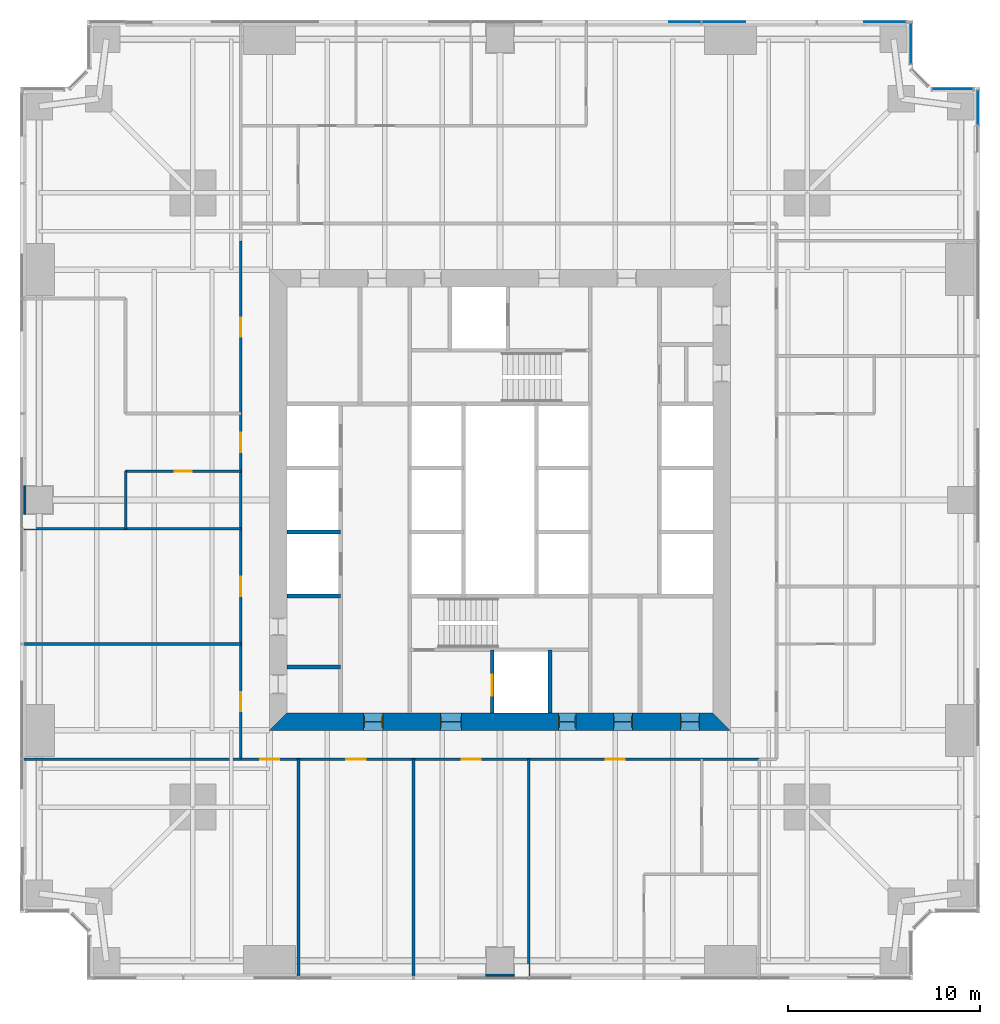
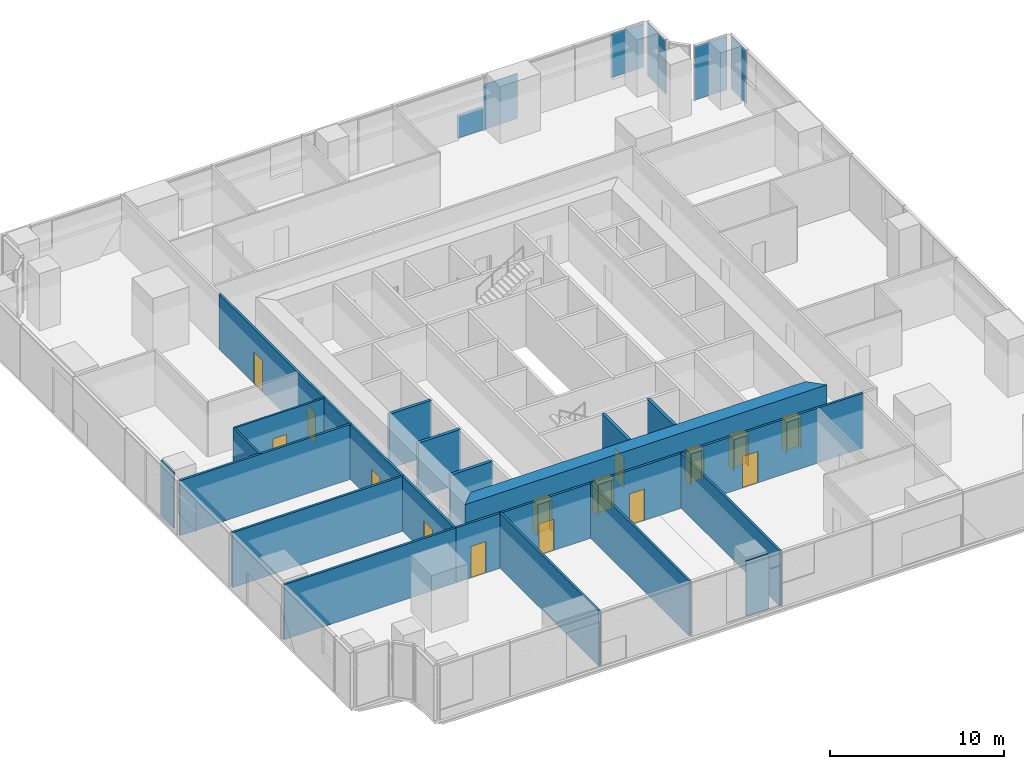
# One storey, part 9 of 14: 18 walls, 15 doors, 6 plates, 15 openings, 4 elements without a shape of their own.
"""IFC4 building model written with IfcOpenShell, lengths in metres."""

from ifc_helpers import new_model, si_unit, direction, frame, frame_2d, origin, origin_2d, place, context, subcontext, project, spatial, polyline, rectangle, outline, extrude, material, layer, layer_set, type_object, element, fill, aggregate, save


model = new_model("IFC4")

# Units and contexts
model_context = context("Model", 3, precision=1e-05, world=origin(), true_north=direction((0.0, 1.0)))
body_context = subcontext(model_context, "Body", "Model", "MODEL_VIEW")
ifc_project = project(units=[si_unit("LENGTHUNIT", "METRE"), si_unit("AREAUNIT", "SQUARE_METRE"), si_unit("VOLUMEUNIT", "CUBIC_METRE"), si_unit("PLANEANGLEUNIT", "RADIAN"), si_unit("MASSUNIT", "GRAM", prefix="KILO")], contexts=[model_context])

# Site, building, storey
site_placement = place(None, origin())
site = spatial("IfcSite", under=ifc_project, at=site_placement, CompositionType="ELEMENT")
building_placement = place(site_placement, origin())
building = spatial("IfcBuilding", under=site, at=building_placement, Name="Fenwick Lantern Interchange", CompositionType="ELEMENT")
storey_placement = place(building_placement, frame((0.0, 0.0, 71.0)))
storey = spatial("IfcBuildingStorey", under=building, at=storey_placement, Name="L16", CompositionType="ELEMENT", Elevation=71.0)

# Curtain wall, plate
ifc_material_1 = material(Name="Aluminium curtain wall frame", Category="aluminium")
curtain_wall_type = type_object("IfcCurtainWallType", Name="OFFICE CURTAIN WALL", PredefinedType="USERDEFINED", material=ifc_material_1)
curtain_wall_1_placement = place(storey_placement, origin())
curtain_wall_1 = element("IfcCurtainWall", 1, at=curtain_wall_1_placement, inside=storey, type_object=curtain_wall_type, Name="Office curtain wall 05", ObjectType="OFFICE CURTAIN WALL", PredefinedType="USERDEFINED")
ifc_material_2 = material(Name="Vision glass, clear low-iron double glazed", Category="glass")
ifc_layer_1 = layer(ifc_material_2, 0.031982421875)
ifc_layer_set_1 = layer_set([ifc_layer_1], Name="OFFICE CURTAIN WALL PANEL 32")
plate_type = type_object("IfcPlateType", Name="OFFICE CURTAIN WALL PANEL 32", PredefinedType="CURTAIN_PANEL", material=ifc_layer_set_1)
plate_1_placement = place(storey_placement, frame((49.89990234375, 45.433837890625, 0.0), z_axis=(0.0, 0.0, 1.0), x_axis=(0.0, 1.0, 0.0)))
plate_1 = element("IfcPlate", 2, at=plate_1_placement, type_object=plate_type, Name="L16/CW/05/P07", PredefinedType="CURTAIN_PANEL", context=body_context, shape_type="SweptSolid", body=[
    extrude(rectangle(XDim=1.802490234375, YDim=0.031982421875, at=origin_2d()), origin(), (0.0, 0.0, 1.0), 3.75),
])
aggregate(curtain_wall_1, [plate_1])

curtain_wall_2_placement = place(storey_placement, origin())
curtain_wall_2 = element("IfcCurtainWall", 3, at=curtain_wall_2_placement, inside=storey, type_object=curtain_wall_type, Name="Office curtain wall 06", ObjectType="OFFICE CURTAIN WALL", PredefinedType="USERDEFINED")
plate_2_placement = place(storey_placement, frame((48.579345703125, 46.39990234375, 0.0), z_axis=(0.0, 0.0, 1.0), x_axis=(-1.0, 0.0, 0.0)))
plate_2 = element("IfcPlate", 4, at=plate_2_placement, type_object=plate_type, Name="L16/CW/06/P00", PredefinedType="CURTAIN_PANEL", context=body_context, shape_type="SweptSolid", body=[
    extrude(rectangle(XDim=2.111328125, YDim=0.031982421875, at=origin_2d()), origin(), (0.0, 0.0, 1.0), 3.75),
])
aggregate(curtain_wall_2, [plate_2])

curtain_wall_3_placement = place(storey_placement, origin())
curtain_wall_3 = element("IfcCurtainWall", 5, at=curtain_wall_3_placement, inside=storey, type_object=curtain_wall_type, Name="Office curtain wall 08", ObjectType="OFFICE CURTAIN WALL", PredefinedType="USERDEFINED")
plate_3_placement = place(storey_placement, frame((46.39990234375, 48.779296875, 0.0), z_axis=(0.0, 0.0, 1.0), x_axis=(0.0, 1.0, 0.0)))
plate_3 = element("IfcPlate", 6, at=plate_3_placement, type_object=plate_type, Name="L16/CW/08/P00", PredefinedType="CURTAIN_PANEL", context=body_context, shape_type="SweptSolid", body=[
    extrude(rectangle(XDim=2.111328125, YDim=0.031982421875, at=origin_2d()), origin(), (0.0, 0.0, 1.0), 3.75),
])
aggregate(curtain_wall_3, [plate_3])

# Curtain wall, plates
curtain_wall_4_placement = place(storey_placement, origin())
curtain_wall_4 = element("IfcCurtainWall", 7, at=curtain_wall_4_placement, inside=storey, type_object=curtain_wall_type, Name="Office curtain wall 09", ObjectType="OFFICE CURTAIN WALL", PredefinedType="USERDEFINED")
plate_4_placement = place(storey_placement, frame((46.39990234375, 49.89990234375, 0.68212890625), z_axis=(0.0, 0.0, 1.0), x_axis=(-1.0, 0.0, 0.0)))
plate_4 = element("IfcPlate", 8, at=plate_4_placement, type_object=plate_type, Name="L16/CW/09/P00a", PredefinedType="CURTAIN_PANEL", context=body_context, shape_type="SweptSolid", body=[
    extrude(outline(polyline([(0.264892578125, 0.0), (2.43994140625, 0.0), (2.43994140625, 3.06787109375), (0.264892578125, 3.06787109375), (0.264892578125, 0.0)])), frame((0.0, 0.01611328125, 0.0), z_axis=(0.0, -1.0, 0.0), x_axis=(1.0, 0.0, 0.0)), (0.0, 0.0, 1.0), 0.031982421875),
])
plate_5_placement = place(storey_placement, frame((46.39990234375, 49.89990234375, 0.0), z_axis=(0.0, 0.0, 1.0), x_axis=(-1.0, 0.0, 0.0)))
plate_5 = element("IfcPlate", 9, at=plate_5_placement, type_object=plate_type, Name="L16/CW/09/P01a", PredefinedType="CURTAIN_PANEL", context=body_context, shape_type="SweptSolid", body=[
    extrude(outline(polyline([(8.618408203125, 0.0), (10.867431640625, 0.0), (10.867431640625, 3.176513671875), (8.618408203125, 3.176513671875), (8.618408203125, 0.0)])), frame((0.0, 0.01611328125, 0.0), z_axis=(0.0, -1.0, 0.0), x_axis=(1.0, 0.0, 0.0)), (0.0, 0.0, 1.0), 0.031982421875),
])
plate_6_placement = place(storey_placement, frame((46.39990234375, 49.89990234375, 0.0), z_axis=(0.0, 0.0, 1.0), x_axis=(-1.0, 0.0, 0.0)))
plate_6 = element("IfcPlate", 10, at=plate_6_placement, type_object=plate_type, Name="L16/CW/09/P02a", PredefinedType="CURTAIN_PANEL", context=body_context, shape_type="SweptSolid", body=[
    extrude(outline(polyline([(10.9326171875, 0.0), (12.592529296875, 0.0), (12.592529296875, 1.656005859375), (10.9326171875, 1.656005859375), (10.9326171875, 0.0)])), frame((0.0, 0.01611328125, 0.0), z_axis=(0.0, -1.0, 0.0), x_axis=(1.0, 0.0, 0.0)), (0.0, 0.0, 1.0), 0.031982421875),
])
aggregate(curtain_wall_4, [plate_4, plate_5, plate_6])

# Walls
ifc_material_3 = material(Name="Fire-rated gypsum board encasement on steel studs, 2 hour", Category="steel")
ifc_layer_2 = layer(ifc_material_3, 1.5)
ifc_layer_set_2 = layer_set([ifc_layer_2], Name="COLUMN PIER 1500")
wall_type_1 = type_object("IfcWallType", Name="COLUMN PIER 1500", PredefinedType="PARTITIONING", material=ifc_layer_set_2)
for number, where, z_axis, x_axis, name in (
    (11, (25.0, 0.199951171875, 0.0), (0.0, 0.0, 1.0), (0.0, 1.0, 0.0), "L16/W/PIER/CS3"),
    (12, (0.199951171875, 25.0, 0.0), (0.0, 0.0, 1.0), (1.0, 0.0, 0.0), "L16/W/PIER/CW3"),
):
    element("IfcWall", number, at=place(storey_placement, frame(where, z_axis=z_axis, x_axis=x_axis)), inside=storey, type_object=wall_type_1, Name=name, PredefinedType="PARTITIONING", context=body_context, shape_type="SweptSolid", body=[
        extrude(rectangle(XDim=0.10009765625, YDim=1.5, at=frame_2d((0.050048828125, 0.0))), origin(), (0.0, 0.0, 1.0), 3.85009765625),
    ])
ifc_material_4 = material(Name="Concrete masonry ASTM C90 Grade N", Category="masonry")
ifc_layer_3 = layer(ifc_material_4, 0.199951171875)
ifc_layer_set_3 = layer_set([ifc_layer_3], Name="Concrete masonry ASTM C90 Grade N")
wall_type_2 = type_object("IfcWallType", Name="CORE PARTITION 200", PredefinedType="PARTITIONING", material=ifc_layer_set_3)
for number, where, z_axis, x_axis, name in (
    (13, (13.89990234375, 20.0, 0.0), (0.0, 0.0, 1.0), (1.0, 0.0, 0.0), "L16/W/CORES/c2"),
    (14, (13.89990234375, 23.333251953125, 0.0), (0.0, 0.0, 1.0), (1.0, 0.0, 0.0), "L16/W/CORES/d1"),
):
    element("IfcWall", number, at=place(storey_placement, frame(where, z_axis=z_axis, x_axis=x_axis)), inside=storey, type_object=wall_type_2, Name=name, PredefinedType="PARTITIONING", context=body_context, shape_type="SweptSolid", body=[
        extrude(rectangle(XDim=2.800048828125, YDim=0.199951171875, at=frame_2d((1.39990234375, 0.0))), origin(), (0.0, 0.0, 1.0), 3.800048828125),
    ])

# Wall, opening, door
wall_1_placement = place(storey_placement, frame((24.60009765625, 13.89990234375, 0.0), z_axis=(0.0, 0.0, 1.0), x_axis=(0.0, 1.0, 0.0)))
wall_1 = element("IfcWall", 15, at=wall_1_placement, inside=storey, type_object=wall_type_2, Name="L16/W/CORES/h1", PredefinedType="PARTITIONING", context=body_context, shape_type="SweptSolid", body=[
    extrude(rectangle(XDim=3.300048828125, YDim=0.199951171875, at=frame_2d((1.64990234375, 0.0))), origin(), (0.0, 0.0, 1.0), 3.800048828125),
])
opening_1_placement = place(wall_1_placement, frame((0.89990234375, 0.0, 0.0)))
opening_1 = element("IfcOpeningElement", 16, at=opening_1_placement, cuts=wall_1, Name="Opening LD-FL1", PredefinedType="OPENING", context=body_context, shape_type="SweptSolid", body=[
    extrude(rectangle(XDim=1.10009765625, YDim=2.199951171875, at=frame_2d((0.550048828125, 1.10009765625))), frame((0.0, 0.10986328125, 0.0), z_axis=(0.0, -1.0, 0.0), x_axis=(1.0, 0.0, 0.0)), (0.0, 0.0, 1.0), 0.219970703125),
])
ifc_material_5 = material(Name="Steel door and frame", Category="steel")
door_type_1 = type_object("IfcDoorType", Name="LIFT LANDING DOOR 1100 X 2200", OperationType="DOUBLE_DOOR_SLIDING", PredefinedType="DOOR", material=ifc_material_5)
door_1_placement = place(opening_1_placement, origin())
door_1 = element("IfcDoor", 17, at=door_1_placement, inside=storey, type_object=door_type_1, Name="Lift landing door FL1", OperationType="DOUBLE_DOOR_SLIDING", OverallHeight=2.199951171875, OverallWidth=1.10009765625, PredefinedType="DOOR", context=body_context, shape_type="SweptSolid", body=[
    extrude(rectangle(XDim=1.10009765625, YDim=2.199951171875, at=frame_2d((0.550048828125, 1.10009765625))), frame((0.0, 0.02490234375, 0.0), z_axis=(0.0, -1.0, 0.0), x_axis=(1.0, 0.0, 0.0)), (0.0, 0.0, 1.0), 0.050048828125),
])
fill(opening_1, door_1)

# Walls
wall_2_placement = place(storey_placement, frame((27.60009765625, 13.89990234375, 0.0), z_axis=(0.0, 0.0, 1.0), x_axis=(0.0, 1.0, 0.0)))
element("IfcWall", 18, at=wall_2_placement, inside=storey, type_object=wall_type_2, Name="L16/W/CORES/h2", PredefinedType="PARTITIONING", context=body_context, shape_type="SweptSolid", body=[
    extrude(rectangle(XDim=3.300048828125, YDim=0.199951171875, at=frame_2d((1.64990234375, 0.0))), origin(), (0.0, 0.0, 1.0), 3.800048828125),
])
wall_3_placement = place(storey_placement, frame((13.89990234375, 16.300048828125, 0.0), z_axis=(0.0, 0.0, 1.0), x_axis=(1.0, 0.0, 0.0)))
element("IfcWall", 19, at=wall_3_placement, inside=storey, type_object=wall_type_2, Name="L16/W/CORES/p1", PredefinedType="PARTITIONING", context=body_context, shape_type="SweptSolid", body=[
    extrude(rectangle(XDim=2.800048828125, YDim=0.199951171875, at=frame_2d((1.39990234375, 0.0))), origin(), (0.0, 0.0, 1.0), 3.800048828125),
])

# Wall, openings, doors
ifc_material_6 = material(Name="Concrete f'c 70 MPa", Category="concrete")
ifc_layer_4 = layer(ifc_material_6, 0.89990234375)
ifc_layer_set_4 = layer_set([ifc_layer_4], Name="CORE WALL 900")
wall_type_3 = type_object("IfcWallType", Name="CORE WALL 900", PredefinedType="SHEAR", material=ifc_layer_set_4)
wall_4_placement = place(storey_placement, frame((13.0, 13.449951171875, 0.0), z_axis=(0.0, 0.0, 1.0), x_axis=(1.0, 0.0, 0.0)))
wall_4 = element("IfcWall", 20, at=wall_4_placement, inside=storey, type_object=wall_type_3, Name="L16/CORE/S", PredefinedType="SHEAR", context=body_context, shape_type="SweptSolid", body=[
    extrude(outline(polyline([(0.0, -0.449951171875), (24.0, -0.449951171875), (23.10009765625, 0.449951171875), (0.89990234375, 0.449951171875), (0.0, -0.449951171875)])), origin(), (0.0, 0.0, 1.0), 4.0),
])
opening_2_placement = place(wall_4_placement, frame((4.89990234375, 0.0, 0.0)))
opening_2 = element("IfcOpeningElement", 21, at=opening_2_placement, cuts=wall_4, Name="Opening L16-D001", PredefinedType="OPENING", context=body_context, shape_type="SweptSolid", body=[
    extrude(rectangle(XDim=1.0, YDim=2.199951171875, at=frame_2d((0.5, 1.10009765625))), frame((0.0, 0.4599609375, 0.0), z_axis=(0.0, -1.0, 0.0), x_axis=(1.0, 0.0, 0.0)), (0.0, 0.0, 1.0), 0.919921875),
])
opening_3_placement = place(wall_4_placement, frame((8.89990234375, 0.0, 0.0)))
opening_3 = element("IfcOpeningElement", 22, at=opening_3_placement, cuts=wall_4, Name="Opening L16-D002", PredefinedType="OPENING", context=body_context, shape_type="SweptSolid", body=[
    extrude(rectangle(XDim=1.10009765625, YDim=2.199951171875, at=frame_2d((0.550048828125, 1.10009765625))), frame((0.0, 0.4599609375, 0.0), z_axis=(0.0, -1.0, 0.0), x_axis=(1.0, 0.0, 0.0)), (0.0, 0.0, 1.0), 0.919921875),
])
opening_4_placement = place(wall_4_placement, frame((15.050048828125, 0.0, 0.0)))
opening_4 = element("IfcOpeningElement", 23, at=opening_4_placement, cuts=wall_4, Name="Opening L16-D004", PredefinedType="OPENING", context=body_context, shape_type="SweptSolid", body=[
    extrude(rectangle(XDim=0.89990234375, YDim=2.199951171875, at=frame_2d((0.449951171875, 1.10009765625))), frame((0.0, 0.4599609375, 0.0), z_axis=(0.0, -1.0, 0.0), x_axis=(1.0, 0.0, 0.0)), (0.0, 0.0, 1.0), 0.919921875),
])
opening_5_placement = place(wall_4_placement, frame((17.89990234375, 0.0, 0.0)))
opening_5 = element("IfcOpeningElement", 24, at=opening_5_placement, cuts=wall_4, Name="Opening L16-D005", PredefinedType="OPENING", context=body_context, shape_type="SweptSolid", body=[
    extrude(rectangle(XDim=1.0, YDim=2.199951171875, at=frame_2d((0.5, 1.10009765625))), frame((0.0, 0.4599609375, 0.0), z_axis=(0.0, -1.0, 0.0), x_axis=(1.0, 0.0, 0.0)), (0.0, 0.0, 1.0), 0.919921875),
])
opening_6_placement = place(wall_4_placement, frame((21.39990234375, 0.0, 0.0)))
opening_6 = element("IfcOpeningElement", 25, at=opening_6_placement, cuts=wall_4, Name="Opening L16-D006", PredefinedType="OPENING", context=body_context, shape_type="SweptSolid", body=[
    extrude(rectangle(XDim=1.0, YDim=2.199951171875, at=frame_2d((0.5, 1.10009765625))), frame((0.0, 0.4599609375, 0.0), z_axis=(0.0, -1.0, 0.0), x_axis=(1.0, 0.0, 0.0)), (0.0, 0.0, 1.0), 0.919921875),
])
door_type_2 = type_object("IfcDoorType", Name="CORE LOBBY DOOR 1000 X 2200", OperationType="SINGLE_SWING_LEFT", PredefinedType="DOOR", material=ifc_material_5)
door_2_placement = place(opening_2_placement, origin())
door_2 = element("IfcDoor", 26, at=door_2_placement, inside=storey, type_object=door_type_2, Name="Core lobby door", OperationType="SINGLE_SWING_LEFT", OverallHeight=2.199951171875, OverallWidth=1.0, PredefinedType="DOOR", context=body_context, shape_type="SweptSolid", body=[
    extrude(rectangle(XDim=1.0, YDim=2.199951171875, at=frame_2d((0.5, 1.10009765625))), frame((0.0, 0.02490234375, 0.0), z_axis=(0.0, -1.0, 0.0), x_axis=(1.0, 0.0, 0.0)), (0.0, 0.0, 1.0), 0.050048828125),
    extrude(outline(polyline([(0.0, 0.0), (0.0400390625, 0.0), (0.0400390625, 2.159912109375), (0.9599609375, 2.159912109375), (0.9599609375, 0.0), (1.0, 0.0), (1.0, 2.199951171875), (0.0, 2.199951171875), (0.0, 0.0)])), frame((0.0, 0.300048828125, 0.0), z_axis=(0.0, -1.0, 0.0), x_axis=(1.0, 0.0, 0.0)), (0.0, 0.0, 1.0), 0.60009765625),
])
fill(opening_2, door_2)
door_type_3 = type_object("IfcDoorType", Name="FIRE LOBBY DOOR 1100 X 2200", OperationType="SINGLE_SWING_LEFT", PredefinedType="DOOR", material=ifc_material_5)
door_3_placement = place(opening_3_placement, origin())
door_3 = element("IfcDoor", 27, at=door_3_placement, inside=storey, type_object=door_type_3, Name="Fire lobby door", OperationType="SINGLE_SWING_LEFT", OverallHeight=2.199951171875, OverallWidth=1.10009765625, PredefinedType="DOOR", context=body_context, shape_type="SweptSolid", body=[
    extrude(rectangle(XDim=1.10009765625, YDim=2.199951171875, at=frame_2d((0.550048828125, 1.10009765625))), frame((0.0, 0.02490234375, 0.0), z_axis=(0.0, -1.0, 0.0), x_axis=(1.0, 0.0, 0.0)), (0.0, 0.0, 1.0), 0.050048828125),
    extrude(outline(polyline([(0.0, 0.0), (0.0400390625, 0.0), (0.0400390625, 2.159912109375), (1.06005859375, 2.159912109375), (1.06005859375, 0.0), (1.10009765625, 0.0), (1.10009765625, 2.199951171875), (0.0, 2.199951171875), (0.0, 0.0)])), frame((0.0, 0.300048828125, 0.0), z_axis=(0.0, -1.0, 0.0), x_axis=(1.0, 0.0, 0.0)), (0.0, 0.0, 1.0), 0.60009765625),
])
fill(opening_3, door_3)
door_type_4 = type_object("IfcDoorType", Name="SERVICE DOOR 900 X 2200", OperationType="SINGLE_SWING_LEFT", PredefinedType="DOOR", material=ifc_material_5)
door_4_placement = place(opening_4_placement, origin())
door_4 = element("IfcDoor", 28, at=door_4_placement, inside=storey, type_object=door_type_4, Name="Service door", OperationType="SINGLE_SWING_LEFT", OverallHeight=2.199951171875, OverallWidth=0.89990234375, PredefinedType="DOOR", context=body_context, shape_type="SweptSolid", body=[
    extrude(rectangle(XDim=0.89990234375, YDim=2.199951171875, at=frame_2d((0.449951171875, 1.10009765625))), frame((0.0, 0.02490234375, 0.0), z_axis=(0.0, -1.0, 0.0), x_axis=(1.0, 0.0, 0.0)), (0.0, 0.0, 1.0), 0.050048828125),
    extrude(outline(polyline([(0.0, 0.0), (0.0400390625, 0.0), (0.0400390625, 2.159912109375), (0.85986328125, 2.159912109375), (0.85986328125, 0.0), (0.89990234375, 0.0), (0.89990234375, 2.199951171875), (0.0, 2.199951171875), (0.0, 0.0)])), frame((0.0, 0.300048828125, 0.0), z_axis=(0.0, -1.0, 0.0), x_axis=(1.0, 0.0, 0.0)), (0.0, 0.0, 1.0), 0.60009765625),
])
fill(opening_4, door_4)
ifc_material_7 = material(Name="Hardwood door and steel frame", Category="steel")
door_type_5 = type_object("IfcDoorType", Name="WC DOOR 1000 X 2200", OperationType="SINGLE_SWING_LEFT", PredefinedType="DOOR", material=ifc_material_7)
door_5_placement = place(opening_5_placement, origin())
door_5 = element("IfcDoor", 29, at=door_5_placement, inside=storey, type_object=door_type_5, Name="Wc door", OperationType="SINGLE_SWING_RIGHT", OverallHeight=2.199951171875, OverallWidth=1.0, PredefinedType="DOOR", context=body_context, shape_type="SweptSolid", body=[
    extrude(rectangle(XDim=1.0, YDim=2.199951171875, at=frame_2d((0.5, 1.10009765625))), frame((0.0, 0.02490234375, 0.0), z_axis=(0.0, -1.0, 0.0), x_axis=(1.0, 0.0, 0.0)), (0.0, 0.0, 1.0), 0.050048828125),
    extrude(outline(polyline([(0.0, 0.0), (0.0400390625, 0.0), (0.0400390625, 2.159912109375), (0.9599609375, 2.159912109375), (0.9599609375, 0.0), (1.0, 0.0), (1.0, 2.199951171875), (0.0, 2.199951171875), (0.0, 0.0)])), frame((0.0, 0.300048828125, 0.0), z_axis=(0.0, -1.0, 0.0), x_axis=(1.0, 0.0, 0.0)), (0.0, 0.0, 1.0), 0.60009765625),
])
fill(opening_5, door_5)
door_6_placement = place(opening_6_placement, origin())
door_6 = element("IfcDoor", 30, at=door_6_placement, inside=storey, type_object=door_type_5, Name="Wc door", OperationType="SINGLE_SWING_RIGHT", OverallHeight=2.199951171875, OverallWidth=1.0, PredefinedType="DOOR", context=body_context, shape_type="SweptSolid", body=[
    extrude(rectangle(XDim=1.0, YDim=2.199951171875, at=frame_2d((0.5, 1.10009765625))), frame((0.0, 0.02490234375, 0.0), z_axis=(0.0, -1.0, 0.0), x_axis=(1.0, 0.0, 0.0)), (0.0, 0.0, 1.0), 0.050048828125),
    extrude(outline(polyline([(0.0, 0.0), (0.0400390625, 0.0), (0.0400390625, 2.159912109375), (0.9599609375, 2.159912109375), (0.9599609375, 0.0), (1.0, 0.0), (1.0, 2.199951171875), (0.0, 2.199951171875), (0.0, 0.0)])), frame((0.0, 0.300048828125, 0.0), z_axis=(0.0, -1.0, 0.0), x_axis=(1.0, 0.0, 0.0)), (0.0, 0.0, 1.0), 0.60009765625),
])
fill(opening_6, door_6)

ifc_material_8 = material(Name="Gypsum board on steel studs, 1 hour", Category="steel")
ifc_layer_5 = layer(ifc_material_8, 0.14990234375)
ifc_layer_set_5 = layer_set([ifc_layer_5], Name="CORRIDOR WALL 150")
wall_type_4 = type_object("IfcWallType", Name="CORRIDOR WALL 150", PredefinedType="PARTITIONING", material=ifc_layer_set_5)
wall_5_placement = place(storey_placement, frame((11.5, 11.5, 0.0), z_axis=(0.0, 0.0, 1.0), x_axis=(1.0, 0.0, 0.0)))
wall_5 = element("IfcWall", 31, at=wall_5_placement, inside=storey, type_object=wall_type_4, Name="L16/W/OFF/S/CW", PredefinedType="PARTITIONING", context=body_context, shape_type="SweptSolid", body=[
    extrude(rectangle(XDim=27.0, YDim=0.14990234375, at=frame_2d((13.5, 0.0))), origin(), (0.0, 0.0, 1.0), 3.85009765625),
])
opening_7_placement = place(wall_5_placement, frame((1.0, 0.0, 0.0)))
opening_7 = element("IfcOpeningElement", 32, at=opening_7_placement, cuts=wall_5, Name="Opening L16-D018", PredefinedType="OPENING", context=body_context, shape_type="SweptSolid", body=[
    extrude(rectangle(XDim=1.0, YDim=2.199951171875, at=frame_2d((0.5, 1.10009765625))), frame((0.0, 0.0849609375, 0.0), z_axis=(0.0, -1.0, 0.0), x_axis=(1.0, 0.0, 0.0)), (0.0, 0.0, 1.0), 0.169921875),
])
opening_8_placement = place(wall_5_placement, frame((5.5, 0.0, 0.0)))
opening_8 = element("IfcOpeningElement", 33, at=opening_8_placement, cuts=wall_5, Name="Opening L16-D019", PredefinedType="OPENING", context=body_context, shape_type="SweptSolid", body=[
    extrude(rectangle(XDim=1.0, YDim=2.199951171875, at=frame_2d((0.5, 1.10009765625))), frame((0.0, 0.0849609375, 0.0), z_axis=(0.0, -1.0, 0.0), x_axis=(1.0, 0.0, 0.0)), (0.0, 0.0, 1.0), 0.169921875),
])
opening_9_placement = place(wall_5_placement, frame((11.5, 0.0, 0.0)))
opening_9 = element("IfcOpeningElement", 34, at=opening_9_placement, cuts=wall_5, Name="Opening L16-D020", PredefinedType="OPENING", context=body_context, shape_type="SweptSolid", body=[
    extrude(rectangle(XDim=1.0, YDim=2.199951171875, at=frame_2d((0.5, 1.10009765625))), frame((0.0, 0.0849609375, 0.0), z_axis=(0.0, -1.0, 0.0), x_axis=(1.0, 0.0, 0.0)), (0.0, 0.0, 1.0), 0.169921875),
])
opening_10_placement = place(wall_5_placement, frame((19.0, 0.0, 0.0)))
opening_10 = element("IfcOpeningElement", 35, at=opening_10_placement, cuts=wall_5, Name="Opening L16-D021", PredefinedType="OPENING", context=body_context, shape_type="SweptSolid", body=[
    extrude(rectangle(XDim=1.0, YDim=2.199951171875, at=frame_2d((0.5, 1.10009765625))), frame((0.0, 0.0849609375, 0.0), z_axis=(0.0, -1.0, 0.0), x_axis=(1.0, 0.0, 0.0)), (0.0, 0.0, 1.0), 0.169921875),
])
door_type_6 = type_object("IfcDoorType", Name="SUITE ENTRANCE DOOR 1000 X 2200", OperationType="SINGLE_SWING_LEFT", PredefinedType="DOOR", material=ifc_material_5)
door_7_placement = place(opening_7_placement, frame((1.0, 0.0, 0.0), z_axis=(0.0, 0.0, 1.0), x_axis=(-1.0, 0.0, 0.0)))
door_7 = element("IfcDoor", 36, at=door_7_placement, inside=storey, type_object=door_type_6, Name="Suite entrance door", OperationType="SINGLE_SWING_LEFT", OverallHeight=2.199951171875, OverallWidth=1.0, PredefinedType="DOOR", context=body_context, shape_type="SweptSolid", body=[
    extrude(rectangle(XDim=1.0, YDim=2.199951171875, at=frame_2d((0.5, 1.10009765625))), frame((0.0, 0.02490234375, 0.0), z_axis=(0.0, -1.0, 0.0), x_axis=(1.0, 0.0, 0.0)), (0.0, 0.0, 1.0), 0.050048828125),
])
fill(opening_7, door_7)
door_8_placement = place(opening_8_placement, frame((1.0, 0.0, 0.0), z_axis=(0.0, 0.0, 1.0), x_axis=(-1.0, 0.0, 0.0)))
door_8 = element("IfcDoor", 37, at=door_8_placement, inside=storey, type_object=door_type_6, Name="Suite entrance door", OperationType="SINGLE_SWING_RIGHT", OverallHeight=2.199951171875, OverallWidth=1.0, PredefinedType="DOOR", context=body_context, shape_type="SweptSolid", body=[
    extrude(rectangle(XDim=1.0, YDim=2.199951171875, at=frame_2d((0.5, 1.10009765625))), frame((0.0, 0.02490234375, 0.0), z_axis=(0.0, -1.0, 0.0), x_axis=(1.0, 0.0, 0.0)), (0.0, 0.0, 1.0), 0.050048828125),
])
fill(opening_8, door_8)
door_9_placement = place(opening_9_placement, frame((1.0, 0.0, 0.0), z_axis=(0.0, 0.0, 1.0), x_axis=(-1.0, 0.0, 0.0)))
door_9 = element("IfcDoor", 38, at=door_9_placement, inside=storey, type_object=door_type_6, Name="Suite entrance door", OperationType="SINGLE_SWING_RIGHT", OverallHeight=2.199951171875, OverallWidth=1.0, PredefinedType="DOOR", context=body_context, shape_type="SweptSolid", body=[
    extrude(rectangle(XDim=1.0, YDim=2.199951171875, at=frame_2d((0.5, 1.10009765625))), frame((0.0, 0.02490234375, 0.0), z_axis=(0.0, -1.0, 0.0), x_axis=(1.0, 0.0, 0.0)), (0.0, 0.0, 1.0), 0.050048828125),
])
fill(opening_9, door_9)
door_10_placement = place(opening_10_placement, frame((1.0, 0.0, 0.0), z_axis=(0.0, 0.0, 1.0), x_axis=(-1.0, 0.0, 0.0)))
door_10 = element("IfcDoor", 39, at=door_10_placement, inside=storey, type_object=door_type_6, Name="Suite entrance door", OperationType="SINGLE_SWING_RIGHT", OverallHeight=2.199951171875, OverallWidth=1.0, PredefinedType="DOOR", context=body_context, shape_type="SweptSolid", body=[
    extrude(rectangle(XDim=1.0, YDim=2.199951171875, at=frame_2d((0.5, 1.10009765625))), frame((0.0, 0.02490234375, 0.0), z_axis=(0.0, -1.0, 0.0), x_axis=(1.0, 0.0, 0.0)), (0.0, 0.0, 1.0), 0.050048828125),
])
fill(opening_10, door_10)

wall_6_placement = place(storey_placement, frame((11.5, 38.5, 0.0), z_axis=(0.0, 0.0, 1.0), x_axis=(0.0, -1.0, 0.0)))
wall_6 = element("IfcWall", 40, at=wall_6_placement, inside=storey, type_object=wall_type_4, Name="L16/W/OFF/W/CW", PredefinedType="PARTITIONING", context=body_context, shape_type="SweptSolid", body=[
    extrude(rectangle(XDim=27.0, YDim=0.14990234375, at=frame_2d((13.5, 0.0))), origin(), (0.0, 0.0, 1.0), 3.85009765625),
])
opening_11_placement = place(wall_6_placement, frame((4.0, 0.0, 0.0)))
opening_11 = element("IfcOpeningElement", 41, at=opening_11_placement, cuts=wall_6, Name="Opening L16-D036", PredefinedType="OPENING", context=body_context, shape_type="SweptSolid", body=[
    extrude(rectangle(XDim=1.0, YDim=2.199951171875, at=frame_2d((0.5, 1.10009765625))), frame((0.0, 0.0849609375, 0.0), z_axis=(0.0, -1.0, 0.0), x_axis=(1.0, 0.0, 0.0)), (0.0, 0.0, 1.0), 0.169921875),
])
opening_12_placement = place(wall_6_placement, frame((10.0, 0.0, 0.0)))
opening_12 = element("IfcOpeningElement", 42, at=opening_12_placement, cuts=wall_6, Name="Opening L16-D037", PredefinedType="OPENING", context=body_context, shape_type="SweptSolid", body=[
    extrude(rectangle(XDim=1.0, YDim=2.199951171875, at=frame_2d((0.5, 1.10009765625))), frame((0.0, 0.0849609375, 0.0), z_axis=(0.0, -1.0, 0.0), x_axis=(1.0, 0.0, 0.0)), (0.0, 0.0, 1.0), 0.169921875),
])
opening_13_placement = place(wall_6_placement, frame((17.5, 0.0, 0.0)))
opening_13 = element("IfcOpeningElement", 43, at=opening_13_placement, cuts=wall_6, Name="Opening L16-D039", PredefinedType="OPENING", context=body_context, shape_type="SweptSolid", body=[
    extrude(rectangle(XDim=1.0, YDim=2.199951171875, at=frame_2d((0.5, 1.10009765625))), frame((0.0, 0.0849609375, 0.0), z_axis=(0.0, -1.0, 0.0), x_axis=(1.0, 0.0, 0.0)), (0.0, 0.0, 1.0), 0.169921875),
])
opening_14_placement = place(wall_6_placement, frame((23.5, 0.0, 0.0)))
opening_14 = element("IfcOpeningElement", 44, at=opening_14_placement, cuts=wall_6, Name="Opening L16-D040", PredefinedType="OPENING", context=body_context, shape_type="SweptSolid", body=[
    extrude(rectangle(XDim=1.0, YDim=2.199951171875, at=frame_2d((0.5, 1.10009765625))), frame((0.0, 0.0849609375, 0.0), z_axis=(0.0, -1.0, 0.0), x_axis=(1.0, 0.0, 0.0)), (0.0, 0.0, 1.0), 0.169921875),
])
door_11_placement = place(opening_11_placement, frame((1.0, 0.0, 0.0), z_axis=(0.0, 0.0, 1.0), x_axis=(-1.0, 0.0, 0.0)))
door_11 = element("IfcDoor", 45, at=door_11_placement, inside=storey, type_object=door_type_6, Name="Suite entrance door", OperationType="SINGLE_SWING_LEFT", OverallHeight=2.199951171875, OverallWidth=1.0, PredefinedType="DOOR", context=body_context, shape_type="SweptSolid", body=[
    extrude(rectangle(XDim=1.0, YDim=2.199951171875, at=frame_2d((0.5, 1.10009765625))), frame((0.0, 0.02490234375, 0.0), z_axis=(0.0, -1.0, 0.0), x_axis=(1.0, 0.0, 0.0)), (0.0, 0.0, 1.0), 0.050048828125),
])
fill(opening_11, door_11)
door_12_placement = place(opening_12_placement, frame((1.0, 0.0, 0.0), z_axis=(0.0, 0.0, 1.0), x_axis=(-1.0, 0.0, 0.0)))
door_12 = element("IfcDoor", 46, at=door_12_placement, inside=storey, type_object=door_type_6, Name="Suite entrance door", OperationType="SINGLE_SWING_RIGHT", OverallHeight=2.199951171875, OverallWidth=1.0, PredefinedType="DOOR", context=body_context, shape_type="SweptSolid", body=[
    extrude(rectangle(XDim=1.0, YDim=2.199951171875, at=frame_2d((0.5, 1.10009765625))), frame((0.0, 0.02490234375, 0.0), z_axis=(0.0, -1.0, 0.0), x_axis=(1.0, 0.0, 0.0)), (0.0, 0.0, 1.0), 0.050048828125),
])
fill(opening_12, door_12)
door_13_placement = place(opening_13_placement, frame((1.0, 0.0, 0.0), z_axis=(0.0, 0.0, 1.0), x_axis=(-1.0, 0.0, 0.0)))
door_13 = element("IfcDoor", 47, at=door_13_placement, inside=storey, type_object=door_type_6, Name="Suite entrance door", OperationType="SINGLE_SWING_RIGHT", OverallHeight=2.199951171875, OverallWidth=1.0, PredefinedType="DOOR", context=body_context, shape_type="SweptSolid", body=[
    extrude(rectangle(XDim=1.0, YDim=2.199951171875, at=frame_2d((0.5, 1.10009765625))), frame((0.0, 0.02490234375, 0.0), z_axis=(0.0, -1.0, 0.0), x_axis=(1.0, 0.0, 0.0)), (0.0, 0.0, 1.0), 0.050048828125),
])
fill(opening_13, door_13)
door_14_placement = place(opening_14_placement, frame((1.0, 0.0, 0.0), z_axis=(0.0, 0.0, 1.0), x_axis=(-1.0, 0.0, 0.0)))
door_14 = element("IfcDoor", 48, at=door_14_placement, inside=storey, type_object=door_type_6, Name="Suite entrance door", OperationType="SINGLE_SWING_RIGHT", OverallHeight=2.199951171875, OverallWidth=1.0, PredefinedType="DOOR", context=body_context, shape_type="SweptSolid", body=[
    extrude(rectangle(XDim=1.0, YDim=2.199951171875, at=frame_2d((0.5, 1.10009765625))), frame((0.0, 0.02490234375, 0.0), z_axis=(0.0, -1.0, 0.0), x_axis=(1.0, 0.0, 0.0)), (0.0, 0.0, 1.0), 0.050048828125),
])
fill(opening_14, door_14)

# Wall, opening, door
ifc_material_9 = material(Name="Gypsum board on steel studs, acoustic", Category="steel")
ifc_layer_6 = layer(ifc_material_9, 0.125)
ifc_layer_set_6 = layer_set([ifc_layer_6], Name="OFFICE PARTITION 125")
wall_type_5 = type_object("IfcWallType", Name="OFFICE PARTITION 125", PredefinedType="PARTITIONING", material=ifc_layer_set_6)
wall_7_placement = place(storey_placement, frame((5.5, 26.5, 0.0), z_axis=(0.0, 0.0, 1.0), x_axis=(1.0, 0.0, 0.0)))
wall_7 = element("IfcWall", 49, at=wall_7_placement, inside=storey, type_object=wall_type_5, Name="L16/W/OFF/W/X235-1", PredefinedType="PARTITIONING", context=body_context, shape_type="SweptSolid", body=[
    extrude(rectangle(XDim=6.0, YDim=0.125, at=frame_2d((3.0, 0.0))), origin(), (0.0, 0.0, 1.0), 3.85009765625),
])
opening_15_placement = place(wall_7_placement, frame((2.550048828125, 0.0, 0.0)))
opening_15 = element("IfcOpeningElement", 50, at=opening_15_placement, cuts=wall_7, Name="Opening L16-D038", PredefinedType="OPENING", context=body_context, shape_type="SweptSolid", body=[
    extrude(rectangle(XDim=0.89990234375, YDim=2.199951171875, at=frame_2d((0.449951171875, 1.10009765625))), frame((0.0, 0.072509765625, 0.0), z_axis=(0.0, -1.0, 0.0), x_axis=(1.0, 0.0, 0.0)), (0.0, 0.0, 1.0), 0.14501953125),
])
door_type_7 = type_object("IfcDoorType", Name="OFFICE DOOR 900 X 2200", OperationType="SINGLE_SWING_LEFT", PredefinedType="DOOR", material=ifc_material_7)
door_15_placement = place(opening_15_placement, frame((0.89990234375, 0.0, 0.0), z_axis=(0.0, 0.0, 1.0), x_axis=(-1.0, 0.0, 0.0)))
door_15 = element("IfcDoor", 51, at=door_15_placement, inside=storey, type_object=door_type_7, Name="Office door", OperationType="SINGLE_SWING_RIGHT", OverallHeight=2.199951171875, OverallWidth=0.89990234375, PredefinedType="DOOR", context=body_context, shape_type="SweptSolid", body=[
    extrude(rectangle(XDim=0.89990234375, YDim=2.199951171875, at=frame_2d((0.449951171875, 1.10009765625))), frame((0.0, 0.02490234375, 0.0), z_axis=(0.0, -1.0, 0.0), x_axis=(1.0, 0.0, 0.0)), (0.0, 0.0, 1.0), 0.050048828125),
])
fill(opening_15, door_15)

# Walls
wall_8_placement = place(storey_placement, frame((5.5, 26.5, 0.0), z_axis=(0.0, 0.0, 1.0), x_axis=(0.0, -1.0, 0.0)))
element("IfcWall", 52, at=wall_8_placement, inside=storey, type_object=wall_type_5, Name="L16/W/OFF/W/Y55-2", PredefinedType="PARTITIONING", context=body_context, shape_type="SweptSolid", body=[
    extrude(rectangle(XDim=3.0, YDim=0.125, at=frame_2d((1.5, 0.0))), origin(), (0.0, 0.0, 1.0), 3.85009765625),
])
ifc_material_10 = material(Name="Gypsum board on steel studs, 1 hour acoustic", Category="steel")
ifc_layer_7 = layer(ifc_material_10, 0.14990234375)
ifc_layer_set_7 = layer_set([ifc_layer_7], Name="TENANT WALL 150")
wall_type_6 = type_object("IfcWallType", Name="TENANT WALL 150", PredefinedType="PARTITIONING", material=ifc_layer_set_7)
for number, where, z_axis, x_axis, name in (
    (53, (0.14990234375, 11.5, 0.0), (0.0, 0.0, 1.0), (1.0, 0.0, 0.0), "L16/W/OFF/S/BACK"),
    (54, (14.5, 0.14990234375, 0.0), (0.0, 0.0, 1.0), (0.0, 1.0, 0.0), "L16/W/OFF/S/X145-1"),
    (55, (20.5, 0.14990234375, 0.0), (0.0, 0.0, 1.0), (0.0, 1.0, 0.0), "L16/W/OFF/S/X205-1"),
    (56, (26.5, 0.14990234375, 0.0), (0.0, 0.0, 1.0), (0.0, 1.0, 0.0), "L16/W/OFF/S/X265-1"),
    (57, (0.14990234375, 23.5, 0.0), (0.0, 0.0, 1.0), (1.0, 0.0, 0.0), "L16/W/OFF/W/X265-1"),
    (58, (0.14990234375, 17.5, 0.0), (0.0, 0.0, 1.0), (1.0, 0.0, 0.0), "L16/W/OFF/W/X325-1"),
):
    element("IfcWall", number, at=place(storey_placement, frame(where, z_axis=z_axis, x_axis=x_axis)), inside=storey, type_object=wall_type_6, Name=name, PredefinedType="PARTITIONING", context=body_context, shape_type="SweptSolid", body=[
        extrude(rectangle(XDim=11.35009765625, YDim=0.14990234375, at=frame_2d((5.675048828125, 0.0))), origin(), (0.0, 0.0, 1.0), 3.85009765625),
    ])

save(model, "model.ifc")
